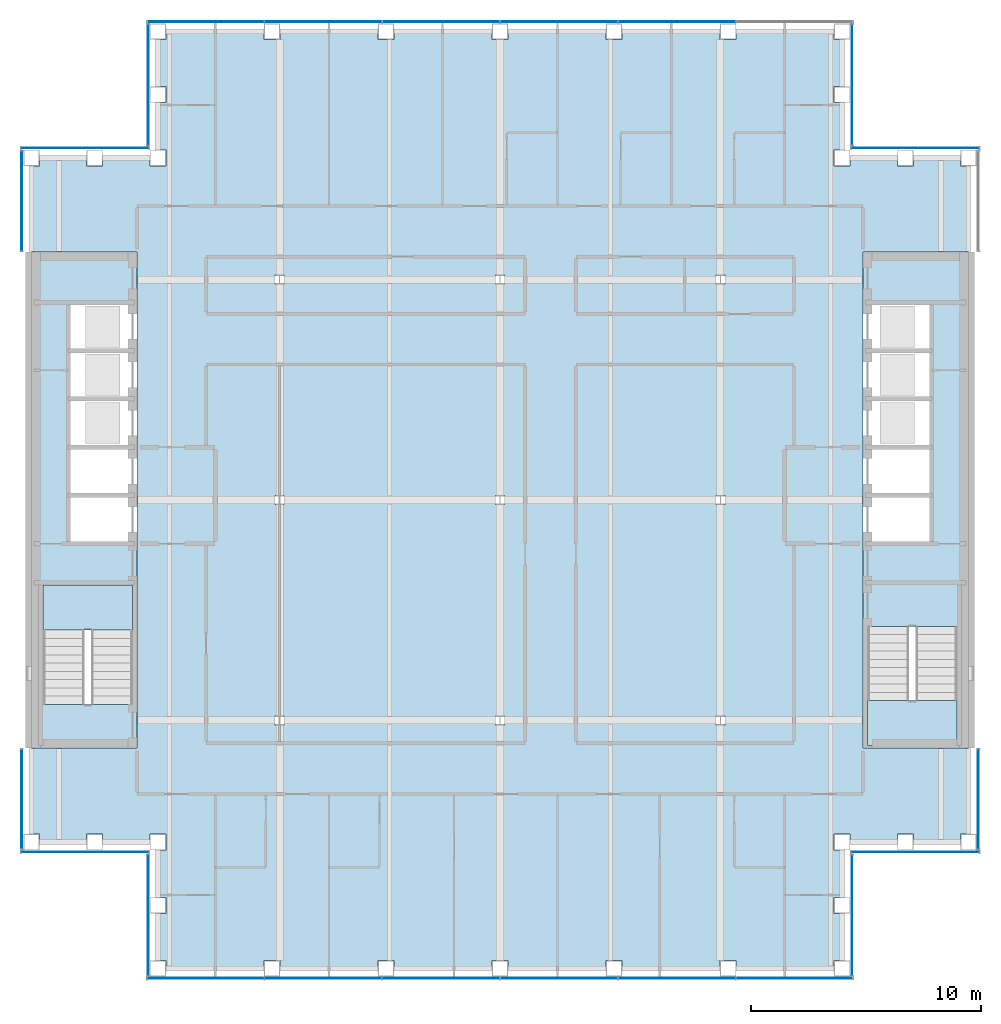
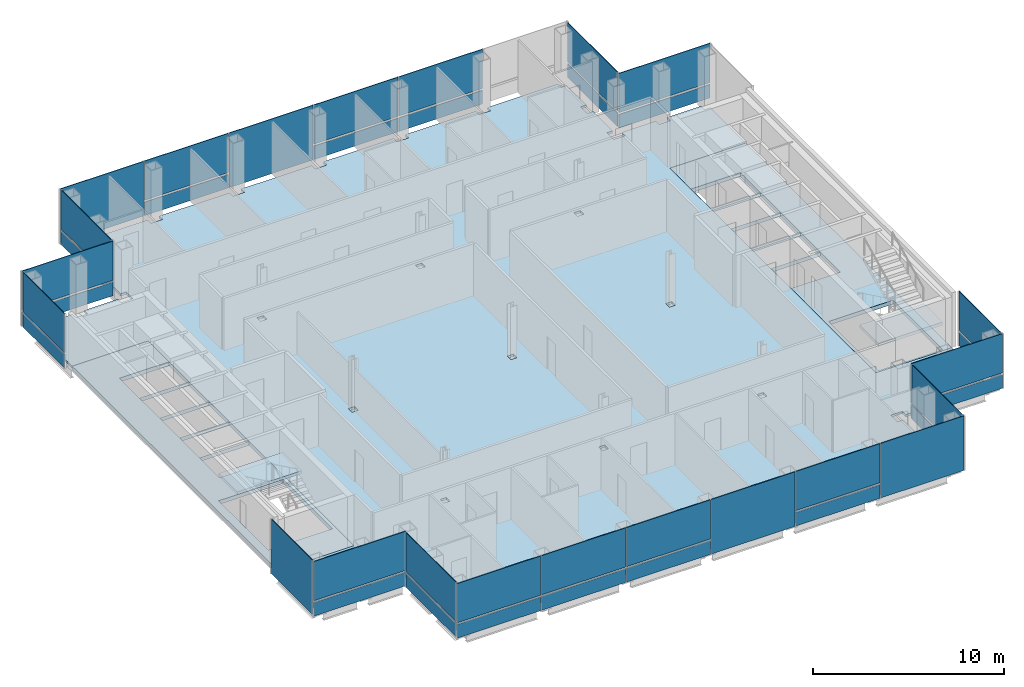
# One storey, part 9 of 15: 39 plates, 5 slabs, 15 elements without a shape of their own.
"""IFC4 building model written with IfcOpenShell, lengths in metres."""

from ifc_helpers import new_model, si_unit, direction, frame, origin, origin_2d, place, context, subcontext, project, spatial, polyline, rectangle, outline, extrude, material, layer, layer_set, type_object, element, aggregate, save


model = new_model("IFC4")

# Units and contexts
model_context = context("Model", 3, precision=1e-05, world=origin(), true_north=direction((0.0, 1.0)))
body_context = subcontext(model_context, "Body", "Model", "MODEL_VIEW")
ifc_project = project(units=[si_unit("LENGTHUNIT", "METRE"), si_unit("AREAUNIT", "SQUARE_METRE"), si_unit("VOLUMEUNIT", "CUBIC_METRE"), si_unit("PLANEANGLEUNIT", "RADIAN"), si_unit("MASSUNIT", "GRAM", prefix="KILO")], contexts=[model_context])

# Site, building, storey
site_placement = place(None, origin())
site = spatial("IfcSite", under=ifc_project, at=site_placement, CompositionType="ELEMENT")
building_placement = place(site_placement, origin())
building = spatial("IfcBuilding", under=site, at=building_placement, Name="Cobrizo Arcos Hotel Tower", CompositionType="ELEMENT")
storey_placement = place(building_placement, frame((0.0, 0.0, 215.5)))
storey = spatial("IfcBuildingStorey", under=building, at=storey_placement, Name="L56", CompositionType="ELEMENT", Elevation=215.5)

# Curtain wall, plates
ifc_material_1 = material(Name="Aluminium 6063-T6 anodised bronze", Category="aluminium")
curtain_wall_type = type_object("IfcCurtainWallType", Name="CW-A guest facade", PredefinedType="NOTDEFINED", material=ifc_material_1)
curtain_wall_1_placement = place(storey_placement, origin())
curtain_wall_1 = element("IfcCurtainWall", 1, at=curtain_wall_1_placement, inside=storey, type_object=curtain_wall_type, Name="CW-A L56 S face", PredefinedType="NOTDEFINED")
ifc_material_2 = material(Name="Glass clear laminated low-e", Category="glass")
ifc_layer_1 = layer(ifc_material_2, 0.0400390625)
ifc_layer_set_1 = layer_set([ifc_layer_1], Name="CW-A glass panel")
plate_type_1 = type_object("IfcPlateType", Name="CW-A glass panel", PredefinedType="CURTAIN_PANEL", material=ifc_layer_set_1)
plate_1_placement = place(storey_placement, frame((-12.818359375, -20.824951171875, 0.990234375), z_axis=(0.0, 0.0, 1.0), x_axis=(1.0, 0.0, 0.0)))
plate_1 = element("IfcPlate", 2, at=plate_1_placement, type_object=plate_type_1, Name="CW-A glass panel 1864", PredefinedType="CURTAIN_PANEL", context=body_context, shape_type="SweptSolid", body=[
    extrude(rectangle(XDim=5.043212890625, YDim=0.0400390625, at=origin_2d()), origin(), (0.0, 0.0, 1.0), 2.510009765625),
])
plate_2_placement = place(storey_placement, frame((-7.699951171875, -20.824951171875, 0.990234375), z_axis=(0.0, 0.0, 1.0), x_axis=(1.0, 0.0, 0.0)))
plate_2 = element("IfcPlate", 3, at=plate_2_placement, type_object=plate_type_1, Name="CW-A glass panel 1865", PredefinedType="CURTAIN_PANEL", context=body_context, shape_type="SweptSolid", body=[
    extrude(rectangle(XDim=5.0732421875, YDim=0.0400390625, at=origin_2d()), origin(), (0.0, 0.0, 1.0), 2.510009765625),
])
plate_3_placement = place(storey_placement, frame((-2.566650390625, -20.824951171875, 0.990234375), z_axis=(0.0, 0.0, 1.0), x_axis=(1.0, 0.0, 0.0)))
plate_3 = element("IfcPlate", 4, at=plate_3_placement, type_object=plate_type_1, Name="CW-A glass panel 1866", PredefinedType="CURTAIN_PANEL", context=body_context, shape_type="SweptSolid", body=[
    extrude(rectangle(XDim=5.0732421875, YDim=0.0400390625, at=origin_2d()), origin(), (0.0, 0.0, 1.0), 2.510009765625),
])
plate_4_placement = place(storey_placement, frame((7.699951171875, -20.824951171875, 0.990234375), z_axis=(0.0, 0.0, 1.0), x_axis=(1.0, 0.0, 0.0)))
plate_4 = element("IfcPlate", 5, at=plate_4_placement, type_object=plate_type_1, Name="CW-A glass panel 1868", PredefinedType="CURTAIN_PANEL", context=body_context, shape_type="SweptSolid", body=[
    extrude(rectangle(XDim=5.0732421875, YDim=0.0400390625, at=origin_2d()), origin(), (0.0, 0.0, 1.0), 2.510009765625),
])

# Curtain wall, plate
curtain_wall_2_placement = place(storey_placement, origin())
curtain_wall_2 = element("IfcCurtainWall", 6, at=curtain_wall_2_placement, inside=storey, type_object=curtain_wall_type, Name="CW-A L56 E face", PredefinedType="NOTDEFINED")
plate_5_placement = place(storey_placement, frame((15.324951171875, -18.074951171875, 0.990234375), z_axis=(0.0, 0.0, 1.0), x_axis=(0.0, 1.0, 0.0)))
plate_5 = element("IfcPlate", 7, at=plate_5_placement, type_object=plate_type_1, Name="CW-A glass panel 1870", PredefinedType="CURTAIN_PANEL", context=body_context, shape_type="SweptSolid", body=[
    extrude(rectangle(XDim=5.22998046875, YDim=0.0400390625, at=origin_2d()), origin(), (0.0, 0.0, 1.0), 2.510009765625),
])

curtain_wall_3_placement = place(storey_placement, origin())
curtain_wall_3 = element("IfcCurtainWall", 8, at=curtain_wall_3_placement, inside=storey, type_object=curtain_wall_type, Name="CW-A L56 S face", PredefinedType="NOTDEFINED")
plate_6_placement = place(storey_placement, frame((18.074951171875, -15.324951171875, 0.990234375), z_axis=(0.0, 0.0, 1.0), x_axis=(1.0, 0.0, 0.0)))
plate_6 = element("IfcPlate", 9, at=plate_6_placement, type_object=plate_type_1, Name="CW-A glass panel 1871", PredefinedType="CURTAIN_PANEL", context=body_context, shape_type="SweptSolid", body=[
    extrude(rectangle(XDim=5.530029296875, YDim=0.0400390625, at=origin_2d()), origin(), (0.0, 0.0, 1.0), 2.510009765625),
])

curtain_wall_4_placement = place(storey_placement, origin())
curtain_wall_4 = element("IfcCurtainWall", 10, at=curtain_wall_4_placement, inside=storey, type_object=curtain_wall_type, Name="CW-A L56 E face", PredefinedType="NOTDEFINED")
plate_7_placement = place(storey_placement, frame((20.824951171875, -13.02490234375, 0.990234375), z_axis=(0.0, 0.0, 1.0), x_axis=(0.0, 1.0, 0.0)))
plate_7 = element("IfcPlate", 11, at=plate_7_placement, type_object=plate_type_1, Name="CW-A glass panel 1872", PredefinedType="CURTAIN_PANEL", context=body_context, shape_type="SweptSolid", body=[
    extrude(rectangle(XDim=4.330078125, YDim=0.0400390625, at=origin_2d()), origin(), (0.0, 0.0, 1.0), 2.510009765625),
])

curtain_wall_5_placement = place(storey_placement, origin())
curtain_wall_5 = element("IfcCurtainWall", 12, at=curtain_wall_5_placement, inside=storey, type_object=curtain_wall_type, Name="CW-A L56 N face", PredefinedType="NOTDEFINED")
plate_8_placement = place(storey_placement, frame((18.074951171875, 15.324951171875, 0.990234375), z_axis=(0.0, 0.0, 1.0), x_axis=(-1.0, 0.0, 0.0)))
plate_8 = element("IfcPlate", 13, at=plate_8_placement, type_object=plate_type_1, Name="CW-A glass panel 1874", PredefinedType="CURTAIN_PANEL", context=body_context, shape_type="SweptSolid", body=[
    extrude(rectangle(XDim=5.530029296875, YDim=0.0400390625, at=origin_2d()), origin(), (0.0, 0.0, 1.0), 2.510009765625),
])

curtain_wall_6_placement = place(storey_placement, origin())
curtain_wall_6 = element("IfcCurtainWall", 14, at=curtain_wall_6_placement, inside=storey, type_object=curtain_wall_type, Name="CW-A L56 E face", PredefinedType="NOTDEFINED")
plate_9_placement = place(storey_placement, frame((15.324951171875, 18.074951171875, 0.990234375), z_axis=(0.0, 0.0, 1.0), x_axis=(0.0, 1.0, 0.0)))
plate_9 = element("IfcPlate", 15, at=plate_9_placement, type_object=plate_type_1, Name="CW-A glass panel 1875", PredefinedType="CURTAIN_PANEL", context=body_context, shape_type="SweptSolid", body=[
    extrude(rectangle(XDim=5.22998046875, YDim=0.0400390625, at=origin_2d()), origin(), (0.0, 0.0, 1.0), 2.510009765625),
])

# Curtain wall, plates
curtain_wall_7_placement = place(storey_placement, origin())
curtain_wall_7 = element("IfcCurtainWall", 16, at=curtain_wall_7_placement, inside=storey, type_object=curtain_wall_type, Name="CW-A L56 N face", PredefinedType="NOTDEFINED")
plate_10_placement = place(storey_placement, frame((7.699951171875, 20.824951171875, 0.990234375), z_axis=(0.0, 0.0, 1.0), x_axis=(-1.0, 0.0, 0.0)))
plate_10 = element("IfcPlate", 17, at=plate_10_placement, type_object=plate_type_1, Name="CW-A glass panel 1877", PredefinedType="CURTAIN_PANEL", context=body_context, shape_type="SweptSolid", body=[
    extrude(rectangle(XDim=5.0732421875, YDim=0.0400390625, at=origin_2d()), origin(), (0.0, 0.0, 1.0), 2.510009765625),
])
plate_11_placement = place(storey_placement, frame((2.566650390625, 20.824951171875, 0.990234375), z_axis=(0.0, 0.0, 1.0), x_axis=(-1.0, 0.0, 0.0)))
plate_11 = element("IfcPlate", 18, at=plate_11_placement, type_object=plate_type_1, Name="CW-A glass panel 1878", PredefinedType="CURTAIN_PANEL", context=body_context, shape_type="SweptSolid", body=[
    extrude(rectangle(XDim=5.0732421875, YDim=0.0400390625, at=origin_2d()), origin(), (0.0, 0.0, 1.0), 2.510009765625),
])
plate_12_placement = place(storey_placement, frame((-7.699951171875, 20.824951171875, 0.990234375), z_axis=(0.0, 0.0, 1.0), x_axis=(-1.0, 0.0, 0.0)))
plate_12 = element("IfcPlate", 19, at=plate_12_placement, type_object=plate_type_1, Name="CW-A glass panel 1880", PredefinedType="CURTAIN_PANEL", context=body_context, shape_type="SweptSolid", body=[
    extrude(rectangle(XDim=5.0732421875, YDim=0.0400390625, at=origin_2d()), origin(), (0.0, 0.0, 1.0), 2.510009765625),
])

# Curtain wall, plate
curtain_wall_8_placement = place(storey_placement, origin())
curtain_wall_8 = element("IfcCurtainWall", 20, at=curtain_wall_8_placement, inside=storey, type_object=curtain_wall_type, Name="CW-A L56 W face", PredefinedType="NOTDEFINED")
plate_13_placement = place(storey_placement, frame((-15.324951171875, 18.074951171875, 0.990234375), z_axis=(0.0, 0.0, 1.0), x_axis=(0.0, -1.0, 0.0)))
plate_13 = element("IfcPlate", 21, at=plate_13_placement, type_object=plate_type_1, Name="CW-A glass panel 1882", PredefinedType="CURTAIN_PANEL", context=body_context, shape_type="SweptSolid", body=[
    extrude(rectangle(XDim=5.22998046875, YDim=0.0400390625, at=origin_2d()), origin(), (0.0, 0.0, 1.0), 2.510009765625),
])

curtain_wall_9_placement = place(storey_placement, origin())
curtain_wall_9 = element("IfcCurtainWall", 22, at=curtain_wall_9_placement, inside=storey, type_object=curtain_wall_type, Name="CW-A L56 N face", PredefinedType="NOTDEFINED")
plate_14_placement = place(storey_placement, frame((-18.074951171875, 15.324951171875, 0.990234375), z_axis=(0.0, 0.0, 1.0), x_axis=(-1.0, 0.0, 0.0)))
plate_14 = element("IfcPlate", 23, at=plate_14_placement, type_object=plate_type_1, Name="CW-A glass panel 1883", PredefinedType="CURTAIN_PANEL", context=body_context, shape_type="SweptSolid", body=[
    extrude(rectangle(XDim=5.530029296875, YDim=0.0400390625, at=origin_2d()), origin(), (0.0, 0.0, 1.0), 2.510009765625),
])

curtain_wall_10_placement = place(storey_placement, origin())
curtain_wall_10 = element("IfcCurtainWall", 24, at=curtain_wall_10_placement, inside=storey, type_object=curtain_wall_type, Name="CW-A L56 W face", PredefinedType="NOTDEFINED")
plate_15_placement = place(storey_placement, frame((-20.824951171875, 13.02490234375, 0.990234375), z_axis=(0.0, 0.0, 1.0), x_axis=(0.0, -1.0, 0.0)))
plate_15 = element("IfcPlate", 25, at=plate_15_placement, type_object=plate_type_1, Name="CW-A glass panel 1884", PredefinedType="CURTAIN_PANEL", context=body_context, shape_type="SweptSolid", body=[
    extrude(rectangle(XDim=4.330078125, YDim=0.0400390625, at=origin_2d()), origin(), (0.0, 0.0, 1.0), 2.510009765625),
])

curtain_wall_11_placement = place(storey_placement, origin())
curtain_wall_11 = element("IfcCurtainWall", 26, at=curtain_wall_11_placement, inside=storey, type_object=curtain_wall_type, Name="CW-A L56 S face", PredefinedType="NOTDEFINED")
plate_16_placement = place(storey_placement, frame((-18.074951171875, -15.324951171875, 0.990234375), z_axis=(0.0, 0.0, 1.0), x_axis=(1.0, 0.0, 0.0)))
plate_16 = element("IfcPlate", 27, at=plate_16_placement, type_object=plate_type_1, Name="CW-A glass panel 1886", PredefinedType="CURTAIN_PANEL", context=body_context, shape_type="SweptSolid", body=[
    extrude(rectangle(XDim=5.530029296875, YDim=0.0400390625, at=origin_2d()), origin(), (0.0, 0.0, 1.0), 2.510009765625),
])

curtain_wall_12_placement = place(storey_placement, origin())
curtain_wall_12 = element("IfcCurtainWall", 28, at=curtain_wall_12_placement, inside=storey, type_object=curtain_wall_type, Name="CW-A L56 W face", PredefinedType="NOTDEFINED")
plate_17_placement = place(storey_placement, frame((-15.324951171875, -18.074951171875, 0.990234375), z_axis=(0.0, 0.0, 1.0), x_axis=(0.0, -1.0, 0.0)))
plate_17 = element("IfcPlate", 29, at=plate_17_placement, type_object=plate_type_1, Name="CW-A glass panel 1887", PredefinedType="CURTAIN_PANEL", context=body_context, shape_type="SweptSolid", body=[
    extrude(rectangle(XDim=5.22998046875, YDim=0.0400390625, at=origin_2d()), origin(), (0.0, 0.0, 1.0), 2.510009765625),
])

# Plate
ifc_material_3 = material(Name="Aluminium composite panel pale metal", Category="aluminium")
ifc_layer_2 = layer(ifc_material_3, 0.0400390625)
ifc_layer_set_2 = layer_set([ifc_layer_2], Name="CW-A spandrel panel")
plate_type_2 = type_object("IfcPlateType", Name="CW-A spandrel panel", PredefinedType="CURTAIN_PANEL", material=ifc_layer_set_2)
plate_18_placement = place(storey_placement, frame((-12.818359375, -20.824951171875, 0.0), z_axis=(0.0, 0.0, 1.0), x_axis=(1.0, 0.0, 0.0)))
plate_18 = element("IfcPlate", 30, at=plate_18_placement, type_object=plate_type_2, Name="CW-A spandrel panel 1864", PredefinedType="CURTAIN_PANEL", context=body_context, shape_type="SweptSolid", body=[
    extrude(rectangle(XDim=5.043212890625, YDim=0.0400390625, at=origin_2d()), origin(), (0.0, 0.0, 1.0), 0.8701171875),
])

plate_19_placement = place(storey_placement, frame((-7.699951171875, -20.824951171875, 0.0), z_axis=(0.0, 0.0, 1.0), x_axis=(1.0, 0.0, 0.0)))
plate_19 = element("IfcPlate", 31, at=plate_19_placement, type_object=plate_type_2, Name="CW-A spandrel panel 1865", PredefinedType="CURTAIN_PANEL", context=body_context, shape_type="SweptSolid", body=[
    extrude(rectangle(XDim=5.0732421875, YDim=0.0400390625, at=origin_2d()), origin(), (0.0, 0.0, 1.0), 0.8701171875),
])

plate_20_placement = place(storey_placement, frame((-2.566650390625, -20.824951171875, 0.0), z_axis=(0.0, 0.0, 1.0), x_axis=(1.0, 0.0, 0.0)))
plate_20 = element("IfcPlate", 32, at=plate_20_placement, type_object=plate_type_2, Name="CW-A spandrel panel 1866", PredefinedType="CURTAIN_PANEL", context=body_context, shape_type="SweptSolid", body=[
    extrude(rectangle(XDim=5.0732421875, YDim=0.0400390625, at=origin_2d()), origin(), (0.0, 0.0, 1.0), 0.8701171875),
])

plate_21_placement = place(storey_placement, frame((2.566650390625, -20.824951171875, 0.0), z_axis=(0.0, 0.0, 1.0), x_axis=(1.0, 0.0, 0.0)))
plate_21 = element("IfcPlate", 33, at=plate_21_placement, type_object=plate_type_2, Name="CW-A spandrel panel 1867", PredefinedType="CURTAIN_PANEL", context=body_context, shape_type="SweptSolid", body=[
    extrude(rectangle(XDim=5.0732421875, YDim=0.0400390625, at=origin_2d()), origin(), (0.0, 0.0, 1.0), 3.5),
])

plate_22_placement = place(storey_placement, frame((7.699951171875, -20.824951171875, 0.0), z_axis=(0.0, 0.0, 1.0), x_axis=(1.0, 0.0, 0.0)))
plate_22 = element("IfcPlate", 34, at=plate_22_placement, type_object=plate_type_2, Name="CW-A spandrel panel 1868", PredefinedType="CURTAIN_PANEL", context=body_context, shape_type="SweptSolid", body=[
    extrude(rectangle(XDim=5.0732421875, YDim=0.0400390625, at=origin_2d()), origin(), (0.0, 0.0, 1.0), 0.8701171875),
])

plate_23_placement = place(storey_placement, frame((12.818359375, -20.824951171875, 0.0), z_axis=(0.0, 0.0, 1.0), x_axis=(1.0, 0.0, 0.0)))
plate_23 = element("IfcPlate", 35, at=plate_23_placement, type_object=plate_type_2, Name="CW-A spandrel panel 1869", PredefinedType="CURTAIN_PANEL", context=body_context, shape_type="SweptSolid", body=[
    extrude(rectangle(XDim=5.043212890625, YDim=0.0400390625, at=origin_2d()), origin(), (0.0, 0.0, 1.0), 3.5),
])

aggregate(curtain_wall_1, [plate_18, plate_1, plate_19, plate_2, plate_20, plate_3, plate_21, plate_22, plate_4, plate_23])

plate_24_placement = place(storey_placement, frame((15.324951171875, -18.074951171875, 0.0), z_axis=(0.0, 0.0, 1.0), x_axis=(0.0, 1.0, 0.0)))
plate_24 = element("IfcPlate", 36, at=plate_24_placement, type_object=plate_type_2, Name="CW-A spandrel panel 1870", PredefinedType="CURTAIN_PANEL", context=body_context, shape_type="SweptSolid", body=[
    extrude(rectangle(XDim=5.22998046875, YDim=0.0400390625, at=origin_2d()), origin(), (0.0, 0.0, 1.0), 0.8701171875),
])

aggregate(curtain_wall_2, [plate_24, plate_5])

plate_25_placement = place(storey_placement, frame((18.074951171875, -15.324951171875, 0.0), z_axis=(0.0, 0.0, 1.0), x_axis=(1.0, 0.0, 0.0)))
plate_25 = element("IfcPlate", 37, at=plate_25_placement, type_object=plate_type_2, Name="CW-A spandrel panel 1871", PredefinedType="CURTAIN_PANEL", context=body_context, shape_type="SweptSolid", body=[
    extrude(rectangle(XDim=5.530029296875, YDim=0.0400390625, at=origin_2d()), origin(), (0.0, 0.0, 1.0), 0.8701171875),
])

aggregate(curtain_wall_3, [plate_25, plate_6])

plate_26_placement = place(storey_placement, frame((20.824951171875, -13.02490234375, 0.0), z_axis=(0.0, 0.0, 1.0), x_axis=(0.0, 1.0, 0.0)))
plate_26 = element("IfcPlate", 38, at=plate_26_placement, type_object=plate_type_2, Name="CW-A spandrel panel 1872", PredefinedType="CURTAIN_PANEL", context=body_context, shape_type="SweptSolid", body=[
    extrude(rectangle(XDim=4.330078125, YDim=0.0400390625, at=origin_2d()), origin(), (0.0, 0.0, 1.0), 0.8701171875),
])

aggregate(curtain_wall_4, [plate_26, plate_7])

plate_27_placement = place(storey_placement, frame((18.074951171875, 15.324951171875, 0.0), z_axis=(0.0, 0.0, 1.0), x_axis=(-1.0, 0.0, 0.0)))
plate_27 = element("IfcPlate", 39, at=plate_27_placement, type_object=plate_type_2, Name="CW-A spandrel panel 1874", PredefinedType="CURTAIN_PANEL", context=body_context, shape_type="SweptSolid", body=[
    extrude(rectangle(XDim=5.530029296875, YDim=0.0400390625, at=origin_2d()), origin(), (0.0, 0.0, 1.0), 0.8701171875),
])

aggregate(curtain_wall_5, [plate_27, plate_8])

plate_28_placement = place(storey_placement, frame((15.324951171875, 18.074951171875, 0.0), z_axis=(0.0, 0.0, 1.0), x_axis=(0.0, 1.0, 0.0)))
plate_28 = element("IfcPlate", 40, at=plate_28_placement, type_object=plate_type_2, Name="CW-A spandrel panel 1875", PredefinedType="CURTAIN_PANEL", context=body_context, shape_type="SweptSolid", body=[
    extrude(rectangle(XDim=5.22998046875, YDim=0.0400390625, at=origin_2d()), origin(), (0.0, 0.0, 1.0), 0.8701171875),
])

aggregate(curtain_wall_6, [plate_28, plate_9])

plate_29_placement = place(storey_placement, frame((7.699951171875, 20.824951171875, 0.0), z_axis=(0.0, 0.0, 1.0), x_axis=(-1.0, 0.0, 0.0)))
plate_29 = element("IfcPlate", 41, at=plate_29_placement, type_object=plate_type_2, Name="CW-A spandrel panel 1877", PredefinedType="CURTAIN_PANEL", context=body_context, shape_type="SweptSolid", body=[
    extrude(rectangle(XDim=5.0732421875, YDim=0.0400390625, at=origin_2d()), origin(), (0.0, 0.0, 1.0), 0.8701171875),
])

plate_30_placement = place(storey_placement, frame((2.566650390625, 20.824951171875, 0.0), z_axis=(0.0, 0.0, 1.0), x_axis=(-1.0, 0.0, 0.0)))
plate_30 = element("IfcPlate", 42, at=plate_30_placement, type_object=plate_type_2, Name="CW-A spandrel panel 1878", PredefinedType="CURTAIN_PANEL", context=body_context, shape_type="SweptSolid", body=[
    extrude(rectangle(XDim=5.0732421875, YDim=0.0400390625, at=origin_2d()), origin(), (0.0, 0.0, 1.0), 0.8701171875),
])

plate_31_placement = place(storey_placement, frame((-2.566650390625, 20.824951171875, 0.0), z_axis=(0.0, 0.0, 1.0), x_axis=(-1.0, 0.0, 0.0)))
plate_31 = element("IfcPlate", 43, at=plate_31_placement, type_object=plate_type_2, Name="CW-A spandrel panel 1879", PredefinedType="CURTAIN_PANEL", context=body_context, shape_type="SweptSolid", body=[
    extrude(rectangle(XDim=5.0732421875, YDim=0.0400390625, at=origin_2d()), origin(), (0.0, 0.0, 1.0), 3.5),
])

plate_32_placement = place(storey_placement, frame((-7.699951171875, 20.824951171875, 0.0), z_axis=(0.0, 0.0, 1.0), x_axis=(-1.0, 0.0, 0.0)))
plate_32 = element("IfcPlate", 44, at=plate_32_placement, type_object=plate_type_2, Name="CW-A spandrel panel 1880", PredefinedType="CURTAIN_PANEL", context=body_context, shape_type="SweptSolid", body=[
    extrude(rectangle(XDim=5.0732421875, YDim=0.0400390625, at=origin_2d()), origin(), (0.0, 0.0, 1.0), 0.8701171875),
])

plate_33_placement = place(storey_placement, frame((-12.818359375, 20.824951171875, 0.0), z_axis=(0.0, 0.0, 1.0), x_axis=(-1.0, 0.0, 0.0)))
plate_33 = element("IfcPlate", 45, at=plate_33_placement, type_object=plate_type_2, Name="CW-A spandrel panel 1881", PredefinedType="CURTAIN_PANEL", context=body_context, shape_type="SweptSolid", body=[
    extrude(rectangle(XDim=5.043212890625, YDim=0.0400390625, at=origin_2d()), origin(), (0.0, 0.0, 1.0), 3.5),
])

aggregate(curtain_wall_7, [plate_29, plate_10, plate_30, plate_11, plate_31, plate_32, plate_12, plate_33])

plate_34_placement = place(storey_placement, frame((-15.324951171875, 18.074951171875, 0.0), z_axis=(0.0, 0.0, 1.0), x_axis=(0.0, -1.0, 0.0)))
plate_34 = element("IfcPlate", 46, at=plate_34_placement, type_object=plate_type_2, Name="CW-A spandrel panel 1882", PredefinedType="CURTAIN_PANEL", context=body_context, shape_type="SweptSolid", body=[
    extrude(rectangle(XDim=5.22998046875, YDim=0.0400390625, at=origin_2d()), origin(), (0.0, 0.0, 1.0), 0.8701171875),
])

aggregate(curtain_wall_8, [plate_34, plate_13])

plate_35_placement = place(storey_placement, frame((-18.074951171875, 15.324951171875, 0.0), z_axis=(0.0, 0.0, 1.0), x_axis=(-1.0, 0.0, 0.0)))
plate_35 = element("IfcPlate", 47, at=plate_35_placement, type_object=plate_type_2, Name="CW-A spandrel panel 1883", PredefinedType="CURTAIN_PANEL", context=body_context, shape_type="SweptSolid", body=[
    extrude(rectangle(XDim=5.530029296875, YDim=0.0400390625, at=origin_2d()), origin(), (0.0, 0.0, 1.0), 0.8701171875),
])

aggregate(curtain_wall_9, [plate_35, plate_14])

plate_36_placement = place(storey_placement, frame((-20.824951171875, 13.02490234375, 0.0), z_axis=(0.0, 0.0, 1.0), x_axis=(0.0, -1.0, 0.0)))
plate_36 = element("IfcPlate", 48, at=plate_36_placement, type_object=plate_type_2, Name="CW-A spandrel panel 1884", PredefinedType="CURTAIN_PANEL", context=body_context, shape_type="SweptSolid", body=[
    extrude(rectangle(XDim=4.330078125, YDim=0.0400390625, at=origin_2d()), origin(), (0.0, 0.0, 1.0), 0.8701171875),
])

aggregate(curtain_wall_10, [plate_36, plate_15])

# Curtain wall, plate
curtain_wall_13_placement = place(storey_placement, origin())
curtain_wall_13 = element("IfcCurtainWall", 49, at=curtain_wall_13_placement, inside=storey, type_object=curtain_wall_type, Name="CW-A L56 W face", PredefinedType="NOTDEFINED")
plate_37_placement = place(storey_placement, frame((-20.824951171875, -13.02490234375, 0.0), z_axis=(0.0, 0.0, 1.0), x_axis=(0.0, -1.0, 0.0)))
plate_37 = element("IfcPlate", 50, at=plate_37_placement, type_object=plate_type_2, Name="CW-A spandrel panel 1885", PredefinedType="CURTAIN_PANEL", context=body_context, shape_type="SweptSolid", body=[
    extrude(rectangle(XDim=4.330078125, YDim=0.0400390625, at=origin_2d()), origin(), (0.0, 0.0, 1.0), 3.5),
])
aggregate(curtain_wall_13, [plate_37])

# Plate
plate_38_placement = place(storey_placement, frame((-18.074951171875, -15.324951171875, 0.0), z_axis=(0.0, 0.0, 1.0), x_axis=(1.0, 0.0, 0.0)))
plate_38 = element("IfcPlate", 51, at=plate_38_placement, type_object=plate_type_2, Name="CW-A spandrel panel 1886", PredefinedType="CURTAIN_PANEL", context=body_context, shape_type="SweptSolid", body=[
    extrude(rectangle(XDim=5.530029296875, YDim=0.0400390625, at=origin_2d()), origin(), (0.0, 0.0, 1.0), 0.8701171875),
])

aggregate(curtain_wall_11, [plate_38, plate_16])

plate_39_placement = place(storey_placement, frame((-15.324951171875, -18.074951171875, 0.0), z_axis=(0.0, 0.0, 1.0), x_axis=(0.0, -1.0, 0.0)))
plate_39 = element("IfcPlate", 52, at=plate_39_placement, type_object=plate_type_2, Name="CW-A spandrel panel 1887", PredefinedType="CURTAIN_PANEL", context=body_context, shape_type="SweptSolid", body=[
    extrude(rectangle(XDim=5.22998046875, YDim=0.0400390625, at=origin_2d()), origin(), (0.0, 0.0, 1.0), 0.8701171875),
])

aggregate(curtain_wall_12, [plate_39, plate_17])

# Slabs
ifc_material_4 = material(Name="Concrete f'c 35 MPa", Category="concrete")
ifc_layer_3 = layer(ifc_material_4, 0.14990234375)
ifc_layer_set_3 = layer_set([ifc_layer_3], Name="Composite floor slab 150 f'c 35")
slab_type_1 = type_object("IfcSlabType", Name="Composite floor slab 150 f'c 35", PredefinedType="FLOOR", material=ifc_layer_set_3)
slab_1_placement = place(storey_placement, frame((0.0, 0.0, -0.14990234375)))
element("IfcSlab", 53, at=slab_1_placement, inside=storey, type_object=slab_type_1, Name="Floor slab S5, L56, no. 01", PredefinedType="FLOOR", context=body_context, shape_type="SweptSolid", body=[
    extrude(outline(polyline([(-14.550048828125, -20.39990234375), (-14.550048828125, -20.050048828125), (-14.89990234375, -20.050048828125), (-14.89990234375, -18.0), (-14.550048828125, -18.0), (-14.550048828125, -17.300048828125), (-14.89990234375, -17.300048828125), (-14.89990234375, -15.25), (-14.550048828125, -15.25), (-14.550048828125, -14.550048828125), (-15.25, -14.550048828125), (-15.25, -14.89990234375), (-17.300048828125, -14.89990234375), (-17.300048828125, -14.550048828125), (-18.0, -14.550048828125), (-18.0, -14.89990234375), (-20.050048828125, -14.89990234375), (-20.050048828125, -14.550048828125), (-20.39990234375, -14.550048828125), (-20.39990234375, -10.800048828125), (-15.800048828125, -10.800048828125), (-15.800048828125, 10.800048828125), (-20.39990234375, 10.800048828125), (-20.39990234375, 14.550048828125), (-20.050048828125, 14.550048828125), (-20.050048828125, 14.89990234375), (-18.0, 14.89990234375), (-18.0, 14.550048828125), (-17.300048828125, 14.550048828125), (-17.300048828125, 14.89990234375), (-15.25, 14.89990234375), (-15.25, 14.550048828125), (-14.550048828125, 14.550048828125), (-14.550048828125, 15.25), (-14.89990234375, 15.25), (-14.89990234375, 17.300048828125), (-14.550048828125, 17.300048828125), (-14.550048828125, 18.0), (-14.89990234375, 18.0), (-14.89990234375, 20.050048828125), (-14.550048828125, 20.050048828125), (-14.550048828125, 20.39990234375), (-10.282958984375, 20.39990234375), (-10.282958984375, 20.050048828125), (-9.5830078125, 20.050048828125), (-9.5830078125, 20.39990234375), (-5.31689453125, 20.39990234375), (-5.31689453125, 20.050048828125), (-4.616943359375, 20.050048828125), (-4.616943359375, 20.39990234375), (-0.35009765625, 20.39990234375), (-0.35009765625, 20.050048828125), (0.35009765625, 20.050048828125), (0.35009765625, 20.39990234375), (4.616943359375, 20.39990234375), (4.616943359375, 20.050048828125), (5.31689453125, 20.050048828125), (5.31689453125, 20.39990234375), (9.5830078125, 20.39990234375), (9.5830078125, 20.050048828125), (10.282958984375, 20.050048828125), (10.282958984375, 20.39990234375), (14.550048828125, 20.39990234375), (14.550048828125, 20.050048828125), (14.89990234375, 20.050048828125), (14.89990234375, 18.0), (14.550048828125, 18.0), (14.550048828125, 17.300048828125), (14.89990234375, 17.300048828125), (14.89990234375, 15.25), (14.550048828125, 15.25), (14.550048828125, 14.550048828125), (15.25, 14.550048828125), (15.25, 14.89990234375), (17.300048828125, 14.89990234375), (17.300048828125, 14.550048828125), (18.0, 14.550048828125), (18.0, 14.89990234375), (20.050048828125, 14.89990234375), (20.050048828125, 14.550048828125), (20.39990234375, 14.550048828125), (20.39990234375, 10.800048828125), (15.800048828125, 10.800048828125), (15.800048828125, -10.800048828125), (20.39990234375, -10.800048828125), (20.39990234375, -14.550048828125), (20.050048828125, -14.550048828125), (20.050048828125, -14.89990234375), (18.0, -14.89990234375), (18.0, -14.550048828125), (17.300048828125, -14.550048828125), (17.300048828125, -14.89990234375), (15.25, -14.89990234375), (15.25, -14.550048828125), (14.550048828125, -14.550048828125), (14.550048828125, -15.25), (14.89990234375, -15.25), (14.89990234375, -17.300048828125), (14.550048828125, -17.300048828125), (14.550048828125, -18.0), (14.89990234375, -18.0), (14.89990234375, -20.050048828125), (14.550048828125, -20.050048828125), (14.550048828125, -20.39990234375), (10.282958984375, -20.39990234375), (10.282958984375, -20.050048828125), (9.5830078125, -20.050048828125), (9.5830078125, -20.39990234375), (5.31689453125, -20.39990234375), (5.31689453125, -20.050048828125), (4.616943359375, -20.050048828125), (4.616943359375, -20.39990234375), (0.35009765625, -20.39990234375), (0.35009765625, -20.050048828125), (-0.35009765625, -20.050048828125), (-0.35009765625, -20.39990234375), (-4.616943359375, -20.39990234375), (-4.616943359375, -20.050048828125), (-5.31689453125, -20.050048828125), (-5.31689453125, -20.39990234375), (-9.5830078125, -20.39990234375), (-9.5830078125, -20.050048828125), (-10.282958984375, -20.050048828125), (-10.282958984375, -20.39990234375), (-14.550048828125, -20.39990234375)]), holes=[polyline([(-9.413330078125, -9.78662109375), (-9.413330078125, -9.413330078125), (-9.78662109375, -9.413330078125), (-9.78662109375, -9.78662109375), (-9.413330078125, -9.78662109375)]), polyline([(0.186767578125, -9.78662109375), (0.186767578125, -9.413330078125), (-0.186767578125, -9.413330078125), (-0.186767578125, -9.78662109375), (0.186767578125, -9.78662109375)]), polyline([(9.413330078125, -9.78662109375), (9.78662109375, -9.78662109375), (9.78662109375, -9.413330078125), (9.413330078125, -9.413330078125), (9.413330078125, -9.78662109375)]), polyline([(-9.78662109375, -0.186767578125), (-9.413330078125, -0.186767578125), (-9.413330078125, 0.186767578125), (-9.78662109375, 0.186767578125), (-9.78662109375, -0.186767578125)]), polyline([(0.186767578125, -0.186767578125), (0.186767578125, 0.186767578125), (-0.186767578125, 0.186767578125), (-0.186767578125, -0.186767578125), (0.186767578125, -0.186767578125)]), polyline([(9.78662109375, -0.186767578125), (9.78662109375, 0.186767578125), (9.413330078125, 0.186767578125), (9.413330078125, -0.186767578125), (9.78662109375, -0.186767578125)]), polyline([(-9.413330078125, 9.413330078125), (-9.413330078125, 9.78662109375), (-9.78662109375, 9.78662109375), (-9.78662109375, 9.413330078125), (-9.413330078125, 9.413330078125)]), polyline([(-0.186767578125, 9.413330078125), (0.186767578125, 9.413330078125), (0.186767578125, 9.78662109375), (-0.186767578125, 9.78662109375), (-0.186767578125, 9.413330078125)]), polyline([(9.413330078125, 9.413330078125), (9.78662109375, 9.413330078125), (9.78662109375, 9.78662109375), (9.413330078125, 9.78662109375), (9.413330078125, 9.413330078125)])]), origin(), (0.0, 0.0, 1.0), 0.14990234375),
])
ifc_material_5 = material(Name="Concrete f'c 40 MPa", Category="concrete")
ifc_layer_4 = layer(ifc_material_5, 0.25)
ifc_layer_set_4 = layer_set([ifc_layer_4], Name="RC core floor slab 250 f'c 40")
slab_type_2 = type_object("IfcSlabType", Name="RC core floor slab 250 f'c 40", PredefinedType="FLOOR", material=ifc_layer_set_4)
slab_2_placement = place(storey_placement, frame((0.0, 0.0, -0.25)))
element("IfcSlab", 54, at=slab_2_placement, inside=storey, type_object=slab_type_2, Name="Core floor slab CS7, east core, L56", PredefinedType="FLOOR", context=body_context, shape_type="SweptSolid", body=[
    extrude(outline(polyline([(15.800048828125, 10.800048828125), (20.39990234375, 10.800048828125), (20.39990234375, -10.800048828125), (15.800048828125, -10.800048828125), (15.800048828125, 10.800048828125)]), holes=[polyline([(19.89794921875, -10.697998046875), (19.89794921875, -5.501953125), (16.001953125, -5.501953125), (16.001953125, -10.697998046875), (19.89794921875, -10.697998046875)]), polyline([(15.802001953125, 0.197998046875), (15.802001953125, -1.89794921875), (18.798095703125, -1.89794921875), (18.798095703125, 0.197998046875), (15.802001953125, 0.197998046875)]), polyline([(15.802001953125, 2.298095703125), (15.802001953125, 0.201904296875), (18.798095703125, 0.201904296875), (18.798095703125, 2.298095703125), (15.802001953125, 2.298095703125)]), polyline([(15.802001953125, 4.39794921875), (15.802001953125, 2.302001953125), (18.798095703125, 2.302001953125), (18.798095703125, 4.39794921875), (15.802001953125, 4.39794921875)]), polyline([(18.798095703125, 6.498046875), (15.802001953125, 6.498046875), (15.802001953125, 4.402099609375), (18.798095703125, 4.402099609375), (18.798095703125, 6.498046875)]), polyline([(18.798095703125, 8.597900390625), (15.802001953125, 8.597900390625), (15.802001953125, 6.501953125), (18.798095703125, 6.501953125), (18.798095703125, 8.597900390625)])]), origin(), (0.0, 0.0, 1.0), 0.25),
])
slab_3_placement = place(storey_placement, frame((0.0, 0.0, -0.25)))
element("IfcSlab", 55, at=slab_3_placement, inside=storey, type_object=slab_type_2, Name="Core floor slab CS7, west core, L56", PredefinedType="FLOOR", context=body_context, shape_type="SweptSolid", body=[
    extrude(outline(polyline([(-20.39990234375, 10.800048828125), (-15.800048828125, 10.800048828125), (-15.800048828125, -10.800048828125), (-20.39990234375, -10.800048828125), (-20.39990234375, 10.800048828125)]), holes=[polyline([(-19.89794921875, -3.701904296875), (-19.89794921875, -8.89794921875), (-16.001953125, -8.89794921875), (-16.001953125, -3.701904296875), (-19.89794921875, -3.701904296875)]), polyline([(-18.798095703125, 0.197998046875), (-18.798095703125, -1.89794921875), (-15.802001953125, -1.89794921875), (-15.802001953125, 0.197998046875), (-18.798095703125, 0.197998046875)]), polyline([(-18.798095703125, 2.298095703125), (-18.798095703125, 0.201904296875), (-15.802001953125, 0.201904296875), (-15.802001953125, 2.298095703125), (-18.798095703125, 2.298095703125)]), polyline([(-18.798095703125, 4.39794921875), (-18.798095703125, 2.302001953125), (-15.802001953125, 2.302001953125), (-15.802001953125, 4.39794921875), (-18.798095703125, 4.39794921875)]), polyline([(-15.802001953125, 6.498046875), (-18.798095703125, 6.498046875), (-18.798095703125, 4.402099609375), (-15.802001953125, 4.402099609375), (-15.802001953125, 6.498046875)]), polyline([(-15.802001953125, 8.597900390625), (-18.798095703125, 8.597900390625), (-18.798095703125, 6.501953125), (-15.802001953125, 6.501953125), (-15.802001953125, 8.597900390625)])]), origin(), (0.0, 0.0, 1.0), 0.25),
])

# Stair, slab
stair_type = type_object("IfcStairType", Name="Exit stair", PredefinedType="HALF_TURN_STAIR", material=ifc_material_5)
stair_1_placement = place(storey_placement, origin())
stair_1 = element("IfcStair", 56, at=stair_1_placement, inside=storey, type_object=stair_type, Name="L56 Exit stair ST-W", PredefinedType="HALF_TURN_STAIR")
ifc_layer_5 = layer(ifc_material_5, 0.199951171875)
ifc_layer_set_5 = layer_set([ifc_layer_5], Name="Stair landing")
slab_type_3 = type_object("IfcSlabType", Name="Stair landing", PredefinedType="LANDING", material=ifc_layer_set_5)
slab_4_placement = place(storey_placement, frame((0.0, 0.0, 1.550048828125)))
slab_4 = element("IfcSlab", 57, at=slab_4_placement, type_object=slab_type_3, Name="ST-W landing 1", PredefinedType="LANDING", context=body_context, shape_type="SweptSolid", body=[
    extrude(outline(polyline([(-16.0, -5.659912109375), (-16.0, -3.699951171875), (-19.89990234375, -3.699951171875), (-19.89990234375, -5.659912109375), (-16.0, -5.659912109375)])), origin(), (0.0, 0.0, 1.0), 0.199951171875),
])
aggregate(stair_1, [slab_4])

stair_2_placement = place(storey_placement, origin())
stair_2 = element("IfcStair", 58, at=stair_2_placement, inside=storey, type_object=stair_type, Name="L56 Exit stair ST-E", PredefinedType="HALF_TURN_STAIR")
slab_5_placement = place(storey_placement, frame((0.0, 0.0, 1.550048828125)))
slab_5 = element("IfcSlab", 59, at=slab_5_placement, type_object=slab_type_3, Name="ST-E landing 1", PredefinedType="LANDING", context=body_context, shape_type="SweptSolid", body=[
    extrude(outline(polyline([(16.0, -8.739990234375), (16.0, -10.699951171875), (19.89990234375, -10.699951171875), (19.89990234375, -8.739990234375), (16.0, -8.739990234375)])), origin(), (0.0, 0.0, 1.0), 0.199951171875),
])
aggregate(stair_2, [slab_5])

save(model, "model.ifc")
